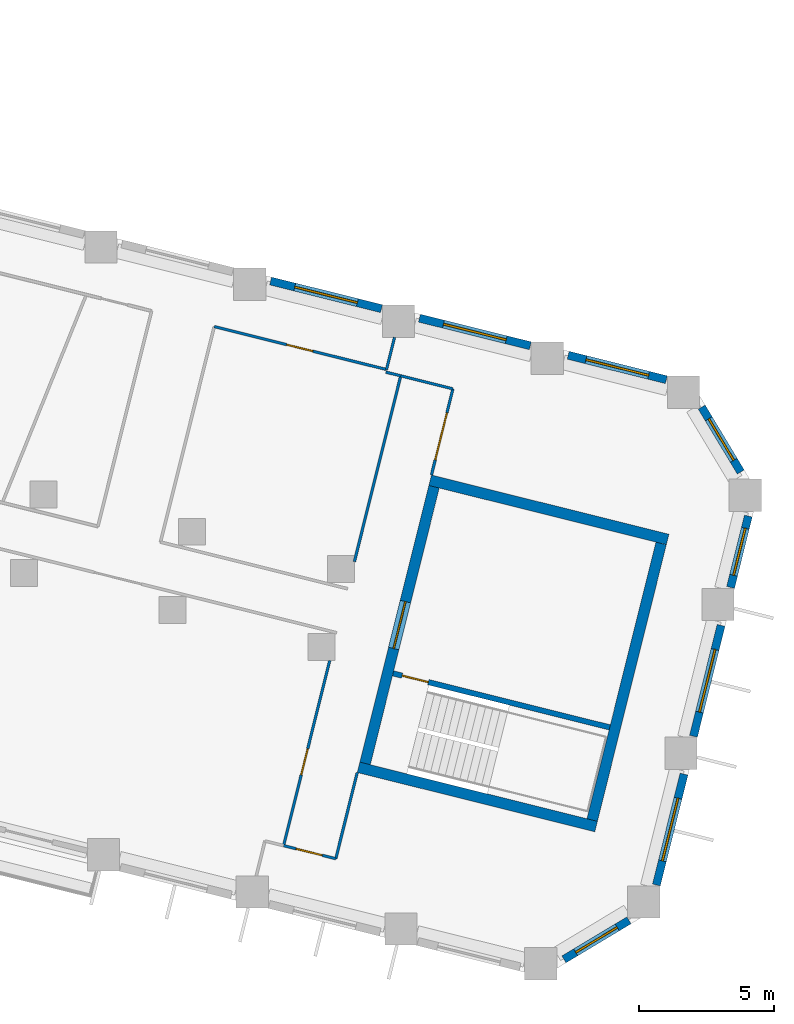
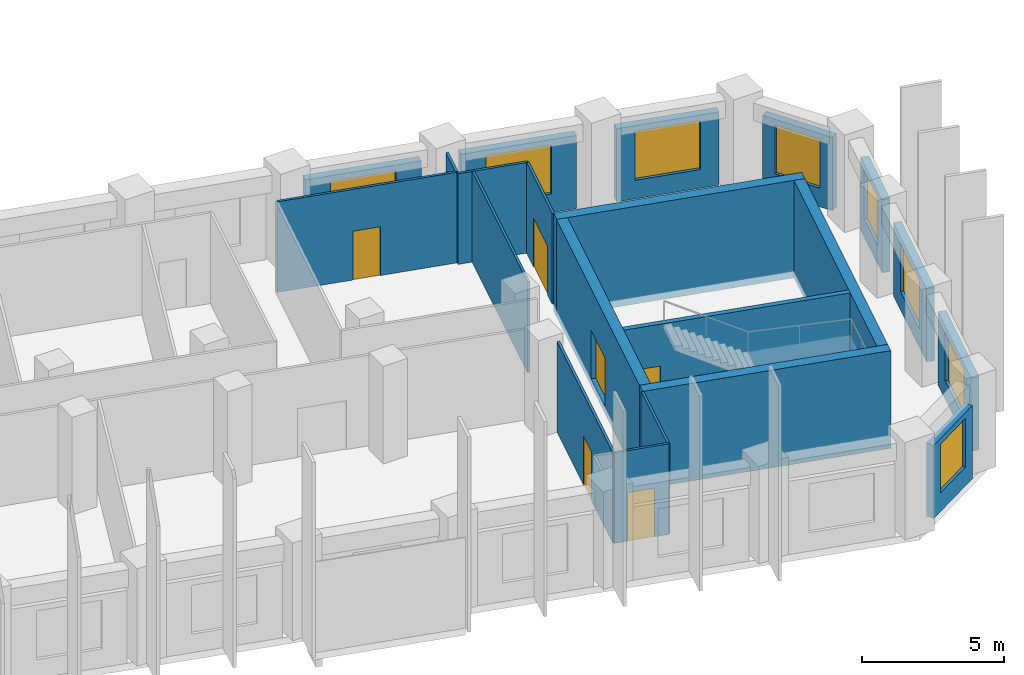
# One storey, part 7 of 10: 22 walls, 8 windows, 6 doors, 14 openings.
"""IFC4 building model written with IfcOpenShell, lengths in metres."""

from ifc_helpers import new_model, si_unit, direction, frame, frame_2d, origin, place, context, subcontext, project, spatial, rectangle, extrude, material, layer, layer_set, type_object, element, fill, save


model = new_model("IFC4")

# Units and contexts
model_context = context("Model", 3, precision=1e-05, world=origin(), true_north=direction((0.0, 1.0)))
body_context = subcontext(model_context, "Body", "Model", "MODEL_VIEW")
ifc_project = project(units=[si_unit("LENGTHUNIT", "METRE"), si_unit("AREAUNIT", "SQUARE_METRE"), si_unit("VOLUMEUNIT", "CUBIC_METRE"), si_unit("PLANEANGLEUNIT", "RADIAN"), si_unit("MASSUNIT", "GRAM", prefix="KILO")], contexts=[model_context])

# Site, building, storey
site_placement = place(None, origin())
site = spatial("IfcSite", under=ifc_project, at=site_placement, CompositionType="ELEMENT")
building_placement = place(site_placement, origin())
building = spatial("IfcBuilding", under=site, at=building_placement, Name="Meshkara Civic Tower", CompositionType="ELEMENT")
storey_placement = place(building_placement, frame((0.0, 0.0, 211.800048828125)))
storey = spatial("IfcBuildingStorey", under=building, at=storey_placement, Name="L48", CompositionType="ELEMENT", Elevation=211.800048828125)

# Wall, opening, door
ifc_material_1 = material(Name="Corridor wall 100")
ifc_layer_1 = layer(ifc_material_1, 0.10009765625)
ifc_layer_set_1 = layer_set([ifc_layer_1], Name="Corridor wall 100")
wall_type_1 = type_object("IfcWallType", Name="Corridor wall 100", PredefinedType="PARTITIONING", material=ifc_layer_set_1)
wall_1_placement = place(storey_placement, frame((59.68408203125, 6.24609375, 0.0), z_axis=(0.0, 0.0, 1.0), x_axis=(0.970303335351, -0.24189137522, 0.0)))
wall_1 = element("IfcWall", 1, at=wall_1_placement, inside=storey, type_object=wall_type_1, Name="L48-W035", PredefinedType="PARTITIONING", context=body_context, shape_type="SweptSolid", body=[
    extrude(rectangle(XDim=6.598876953125, YDim=0.10009765625, at=frame_2d((3.29931640625, 0.0))), origin(), (0.0, 0.0, 1.0), 3.89990234375),
])
opening_1_placement = place(wall_1_placement, frame((2.780029296875, 0.0, 0.0)))
opening_1 = element("IfcOpeningElement", 2, at=opening_1_placement, cuts=wall_1, Name="Opening L48-D007", PredefinedType="OPENING", context=body_context, shape_type="SweptSolid", body=[
    extrude(rectangle(XDim=1.0, YDim=2.10009765625, at=frame_2d((0.5, 1.050048828125))), frame((0.0, 0.06005859375, 0.0), z_axis=(0.0, -1.0, 0.0), x_axis=(1.0, 0.0, 0.0)), (0.0, 0.0, 1.0), 0.1201171875),
])
ifc_material_2 = material(Name="Door 1000 x 2100")
door_type_1 = type_object("IfcDoorType", Name="Door 1000 x 2100", OperationType="SINGLE_SWING_LEFT", PredefinedType="DOOR", material=ifc_material_2)
door_1_placement = place(opening_1_placement, origin())
door_1 = element("IfcDoor", 3, at=door_1_placement, inside=storey, type_object=door_type_1, Name="L48-D007", OperationType="SINGLE_SWING_RIGHT", OverallHeight=2.10009765625, OverallWidth=1.0, PredefinedType="DOOR", context=body_context, shape_type="SweptSolid", body=[
    extrude(rectangle(XDim=1.0, YDim=2.10009765625, at=frame_2d((0.5, 1.050048828125))), frame((0.0, 0.02490234375, 0.0), z_axis=(0.0, -1.0, 0.0), x_axis=(1.0, 0.0, 0.0)), (0.0, 0.0, 1.0), 0.050048828125),
])
fill(opening_1, door_1)

wall_2_placement = place(storey_placement, frame((62.261962890625, -13.050048828125, 0.0), z_axis=(0.0, 0.0, 1.0), x_axis=(0.970300241929, -0.241903783585, 0.0)))
wall_2 = element("IfcWall", 4, at=wall_2_placement, inside=storey, type_object=wall_type_1, Name="L48-W036", PredefinedType="PARTITIONING", context=body_context, shape_type="SweptSolid", body=[
    extrude(rectangle(XDim=2.000244140625, YDim=0.10009765625, at=frame_2d((1.0, 0.0))), origin(), (0.0, 0.0, 1.0), 3.89990234375),
])
opening_2_placement = place(wall_2_placement, frame((0.47998046875, 0.0, 0.0)))
opening_2 = element("IfcOpeningElement", 5, at=opening_2_placement, cuts=wall_2, Name="Opening L48-D001", PredefinedType="OPENING", context=body_context, shape_type="SweptSolid", body=[
    extrude(rectangle(XDim=1.0, YDim=2.10009765625, at=frame_2d((0.5, 1.050048828125))), frame((0.0, 0.06005859375, 0.0), z_axis=(0.0, -1.0, 0.0), x_axis=(1.0, 0.0, 0.0)), (0.0, 0.0, 1.0), 0.1201171875),
])
door_2_placement = place(opening_2_placement, origin())
door_2 = element("IfcDoor", 6, at=door_2_placement, inside=storey, type_object=door_type_1, Name="L48-D001", OperationType="SINGLE_SWING_RIGHT", OverallHeight=2.10009765625, OverallWidth=1.0, PredefinedType="DOOR", context=body_context, shape_type="SweptSolid", body=[
    extrude(rectangle(XDim=1.0, YDim=2.10009765625, at=frame_2d((0.5, 1.050048828125))), frame((0.0, 0.02490234375, 0.0), z_axis=(0.0, -1.0, 0.0), x_axis=(1.0, 0.0, 0.0)), (0.0, 0.0, 1.0), 0.050048828125),
])
fill(opening_2, door_2)

wall_3_placement = place(storey_placement, frame((63.97705078125, -6.1708984375, 0.0), z_axis=(0.0, 0.0, 1.0), x_axis=(-0.241911678739, -0.970298273568, 0.0)))
wall_3 = element("IfcWall", 7, at=wall_3_placement, inside=storey, type_object=wall_type_1, Name="L48-W037", PredefinedType="PARTITIONING", context=body_context, shape_type="SweptSolid", body=[
    extrude(rectangle(XDim=7.08984375, YDim=0.10009765625, at=frame_2d((3.544921875, 0.0))), origin(), (0.0, 0.0, 1.0), 3.89990234375),
])
opening_3_placement = place(wall_3_placement, frame((3.3798828125, 0.0, 0.0)))
opening_3 = element("IfcOpeningElement", 8, at=opening_3_placement, cuts=wall_3, Name="Opening L48-D002", PredefinedType="OPENING", context=body_context, shape_type="SweptSolid", body=[
    extrude(rectangle(XDim=1.0, YDim=2.10009765625, at=frame_2d((0.5, 1.050048828125))), frame((0.0, 0.06005859375, 0.0), z_axis=(0.0, -1.0, 0.0), x_axis=(1.0, 0.0, 0.0)), (0.0, 0.0, 1.0), 0.1201171875),
])
door_3_placement = place(opening_3_placement, origin())
door_3 = element("IfcDoor", 9, at=door_3_placement, inside=storey, type_object=door_type_1, Name="L48-D002", OperationType="SINGLE_SWING_LEFT", OverallHeight=2.10009765625, OverallWidth=1.0, PredefinedType="DOOR", context=body_context, shape_type="SweptSolid", body=[
    extrude(rectangle(XDim=1.0, YDim=2.10009765625, at=frame_2d((0.5, 1.050048828125))), frame((0.0, 0.02490234375, 0.0), z_axis=(0.0, -1.0, 0.0), x_axis=(1.0, 0.0, 0.0)), (0.0, 0.0, 1.0), 0.050048828125),
])
fill(opening_3, door_3)

# Walls
wall_4_placement = place(storey_placement, frame((64.202880859375, -13.533935546875, 0.0), z_axis=(0.0, 0.0, 1.0), x_axis=(0.241856645367, 0.970311992656, 0.0)))
element("IfcWall", 10, at=wall_4_placement, inside=storey, type_object=wall_type_1, Name="L48-W038", PredefinedType="PARTITIONING", context=body_context, shape_type="SweptSolid", body=[
    extrude(rectangle(XDim=3.2998046875, YDim=0.10009765625, at=frame_2d((1.64990234375, 0.0))), origin(), (0.0, 0.0, 1.0), 3.89990234375),
])
wall_5_placement = place(storey_placement, frame((66.0869140625, 4.64990234375, 0.0), z_axis=(0.0, 0.0, 1.0), x_axis=(0.24202255973, 0.970270622343, 0.0)))
element("IfcWall", 11, at=wall_5_placement, inside=storey, type_object=wall_type_1, Name="L48-W040", PredefinedType="PARTITIONING", context=body_context, shape_type="SweptSolid", body=[
    extrude(rectangle(XDim=1.231689453125, YDim=0.10009765625, at=frame_2d((0.61572265625, 0.0))), origin(), (0.0, 0.0, 1.0), 3.89990234375),
])
wall_6_placement = place(storey_placement, frame((66.616943359375, 4.4150390625, 0.0), z_axis=(0.0, 0.0, 1.0), x_axis=(-0.241898048516, -0.97030167171, 0.0)))
element("IfcWall", 12, at=wall_6_placement, inside=storey, type_object=wall_type_1, Name="L48-W041", PredefinedType="PARTITIONING", context=body_context, shape_type="SweptSolid", body=[
    extrude(rectangle(XDim=7.118408203125, YDim=0.10009765625, at=frame_2d((3.55908203125, 0.0))), origin(), (0.0, 0.0, 1.0), 3.89990234375),
])

# Wall, opening, door
wall_7_placement = place(storey_placement, frame((67.759033203125, 0.72900390625, 0.0), z_axis=(0.0, 0.0, 1.0), x_axis=(0.241786986316, 0.970329352977, 0.0)))
wall_7 = element("IfcWall", 13, at=wall_7_placement, inside=storey, type_object=wall_type_1, Name="L48-W042", PredefinedType="PARTITIONING", context=body_context, shape_type="SweptSolid", body=[
    extrude(rectangle(XDim=3.2998046875, YDim=0.10009765625, at=frame_2d((1.64990234375, 0.0))), origin(), (0.0, 0.0, 1.0), 3.89990234375),
])
opening_4_placement = place(wall_7_placement, frame((0.580078125, 0.0, 0.0)))
opening_4 = element("IfcOpeningElement", 14, at=opening_4_placement, cuts=wall_7, Name="Opening L48-D008", PredefinedType="OPENING", context=body_context, shape_type="SweptSolid", body=[
    extrude(rectangle(XDim=1.800048828125, YDim=2.10009765625, at=frame_2d((0.89990234375, 1.050048828125))), frame((0.0, 0.06005859375, 0.0), z_axis=(0.0, -1.0, 0.0), x_axis=(1.0, 0.0, 0.0)), (0.0, 0.0, 1.0), 0.1201171875),
])
ifc_material_3 = material(Name="Door pair 1800 x 2100")
door_type_2 = type_object("IfcDoorType", Name="Door pair 1800 x 2100", OperationType="SINGLE_SWING_LEFT", PredefinedType="DOOR", material=ifc_material_3)
door_4_placement = place(opening_4_placement, origin())
door_4 = element("IfcDoor", 15, at=door_4_placement, inside=storey, type_object=door_type_2, Name="L48-D008", OperationType="DOUBLE_DOOR_SINGLE_SWING", OverallHeight=2.10009765625, OverallWidth=1.800048828125, PredefinedType="DOOR", context=body_context, shape_type="SweptSolid", body=[
    extrude(rectangle(XDim=1.800048828125, YDim=2.10009765625, at=frame_2d((0.89990234375, 1.050048828125))), frame((0.0, 0.02490234375, 0.0), z_axis=(0.0, -1.0, 0.0), x_axis=(1.0, 0.0, 0.0)), (0.0, 0.0, 1.0), 0.050048828125),
])
fill(opening_4, door_4)

# Wall
wall_8_placement = place(storey_placement, frame((68.556884765625, 3.930908203125, 0.0), z_axis=(0.0, 0.0, 1.0), x_axis=(-0.970242973473, 0.242133377347, 0.0)))
element("IfcWall", 16, at=wall_8_placement, inside=storey, type_object=wall_type_1, Name="L48-W043", PredefinedType="PARTITIONING", context=body_context, shape_type="SweptSolid", body=[
    extrude(rectangle(XDim=1.99951171875, YDim=0.10009765625, at=frame_2d((0.999755859375, 0.0))), origin(), (0.0, 0.0, 1.0), 3.89990234375),
])

# Wall, opening, window
ifc_material_4 = material(Name="Insulated infill panel with bronze anodised aluminium cladding", Category="aluminium")
ifc_layer_2 = layer(ifc_material_4, 0.300048828125)
ifc_layer_set_2 = layer_set([ifc_layer_2], Name="EXTERNAL INFILL WALL 300")
wall_type_2 = type_object("IfcWallType", Name="EXTERNAL INFILL WALL 300", PredefinedType="SOLIDWALL", material=ifc_layer_set_2)
wall_9_placement = place(storey_placement, frame((76.491943359375, 4.27197265625, 0.0), z_axis=(0.0, 0.0, 1.0), x_axis=(-0.970348377394, 0.241710625521, 0.0)))
wall_9 = element("IfcWall", 17, at=wall_9_placement, inside=storey, type_object=wall_type_2, Name="External wall", PredefinedType="SOLIDWALL", context=body_context, shape_type="SweptSolid", body=[
    extrude(rectangle(XDim=3.760498046875, YDim=0.300048828125, at=frame_2d((1.88037109375, 0.0))), origin(), (0.0, 0.0, 1.0), 3.14990234375),
])
opening_5_placement = place(wall_9_placement, frame((0.679931640625, 0.0, 0.800048828125)))
opening_5 = element("IfcOpeningElement", 18, at=opening_5_placement, cuts=wall_9, Name="Opening W7", PredefinedType="OPENING", context=body_context, shape_type="SweptSolid", body=[
    extrude(rectangle(XDim=2.39990234375, YDim=2.10009765625, at=frame_2d((1.199951171875, 1.050048828125))), frame((0.0, 0.159912109375, 0.0), z_axis=(0.0, -1.0, 0.0), x_axis=(1.0, 0.0, 0.0)), (0.0, 0.0, 1.0), 0.320068359375),
])
ifc_material_5 = material(Name="Tinted double glazing", Category="glass")
window_type_1 = type_object("IfcWindowType", Name="WINDOW 2400x2100", PartitioningType="DOUBLE_PANEL_VERTICAL", PredefinedType="WINDOW", material=ifc_material_5)
window_1_placement = place(opening_5_placement, origin())
window_1 = element("IfcWindow", 19, at=window_1_placement, inside=storey, type_object=window_type_1, Name="Window", OverallHeight=2.10009765625, OverallWidth=2.39990234375, PartitioningType="DOUBLE_PANEL_VERTICAL", PredefinedType="WINDOW", context=body_context, shape_type="SweptSolid", body=[
    extrude(rectangle(XDim=2.39990234375, YDim=2.10009765625, at=frame_2d((1.199951171875, 1.050048828125))), frame((0.0, 0.030029296875, 0.0), z_axis=(0.0, -1.0, 0.0), x_axis=(1.0, 0.0, 0.0)), (0.0, 0.0, 1.0), 0.06005859375),
])
fill(opening_5, window_1)

wall_10_placement = place(storey_placement, frame((71.431884765625, 5.532958984375, 0.0), z_axis=(0.0, 0.0, 1.0), x_axis=(-0.970301260502, 0.241899697951, 0.0)))
wall_10 = element("IfcWall", 20, at=wall_10_placement, inside=storey, type_object=wall_type_2, Name="External wall", PredefinedType="SOLIDWALL", context=body_context, shape_type="SweptSolid", body=[
    extrude(rectangle(XDim=4.24609375, YDim=0.300048828125, at=frame_2d((2.123046875, 0.0))), origin(), (0.0, 0.0, 1.0), 3.14990234375),
])
opening_6_placement = place(wall_10_placement, frame((0.923095703125, 0.0, 0.800048828125)))
opening_6 = element("IfcOpeningElement", 21, at=opening_6_placement, cuts=wall_10, Name="Opening W7", PredefinedType="OPENING", context=body_context, shape_type="SweptSolid", body=[
    extrude(rectangle(XDim=2.39990234375, YDim=2.10009765625, at=frame_2d((1.199951171875, 1.050048828125))), frame((0.0, 0.159912109375, 0.0), z_axis=(0.0, -1.0, 0.0), x_axis=(1.0, 0.0, 0.0)), (0.0, 0.0, 1.0), 0.320068359375),
])
window_2_placement = place(opening_6_placement, origin())
window_2 = element("IfcWindow", 22, at=window_2_placement, inside=storey, type_object=window_type_1, Name="Window", OverallHeight=2.10009765625, OverallWidth=2.39990234375, PartitioningType="DOUBLE_PANEL_VERTICAL", PredefinedType="WINDOW", context=body_context, shape_type="SweptSolid", body=[
    extrude(rectangle(XDim=2.39990234375, YDim=2.10009765625, at=frame_2d((1.199951171875, 1.050048828125))), frame((0.0, 0.030029296875, 0.0), z_axis=(0.0, -1.0, 0.0), x_axis=(1.0, 0.0, 0.0)), (0.0, 0.0, 1.0), 0.06005859375),
])
fill(opening_6, window_2)

wall_11_placement = place(storey_placement, frame((65.90087890625, 6.912109375, 0.0), z_axis=(0.0, 0.0, 1.0), x_axis=(-0.970260760633, 0.242062091986, 0.0)))
wall_11 = element("IfcWall", 23, at=wall_11_placement, inside=storey, type_object=wall_type_2, Name="External wall", PredefinedType="SOLIDWALL", context=body_context, shape_type="SweptSolid", body=[
    extrude(rectangle(XDim=4.24609375, YDim=0.300048828125, at=frame_2d((2.123046875, 0.0))), origin(), (0.0, 0.0, 1.0), 3.14990234375),
])
opening_7_placement = place(wall_11_placement, frame((0.923095703125, 0.0, 0.800048828125)))
opening_7 = element("IfcOpeningElement", 24, at=opening_7_placement, cuts=wall_11, Name="Opening W7", PredefinedType="OPENING", context=body_context, shape_type="SweptSolid", body=[
    extrude(rectangle(XDim=2.39990234375, YDim=2.10009765625, at=frame_2d((1.199951171875, 1.050048828125))), frame((0.0, 0.159912109375, 0.0), z_axis=(0.0, -1.0, 0.0), x_axis=(1.0, 0.0, 0.0)), (0.0, 0.0, 1.0), 0.320068359375),
])
window_3_placement = place(opening_7_placement, origin())
window_3 = element("IfcWindow", 25, at=window_3_placement, inside=storey, type_object=window_type_1, Name="Window", OverallHeight=2.10009765625, OverallWidth=2.39990234375, PartitioningType="DOUBLE_PANEL_VERTICAL", PredefinedType="WINDOW", context=body_context, shape_type="SweptSolid", body=[
    extrude(rectangle(XDim=2.39990234375, YDim=2.10009765625, at=frame_2d((1.199951171875, 1.050048828125))), frame((0.0, 0.030029296875, 0.0), z_axis=(0.0, -1.0, 0.0), x_axis=(1.0, 0.0, 0.0)), (0.0, 0.0, 1.0), 0.06005859375),
])
fill(opening_7, window_3)

wall_12_placement = place(storey_placement, frame((72.68701171875, -17.277099609375, 0.0), z_axis=(0.0, 0.0, 1.0), x_axis=(0.857309341171, 0.514801606, 0.0)))
wall_12 = element("IfcWall", 26, at=wall_12_placement, inside=storey, type_object=wall_type_2, Name="External wall", PredefinedType="SOLIDWALL", context=body_context, shape_type="SweptSolid", body=[
    extrude(rectangle(XDim=2.81689453125, YDim=0.300048828125, at=frame_2d((1.408447265625, 0.0))), origin(), (0.0, 0.0, 1.0), 3.14990234375),
])
opening_8_placement = place(wall_12_placement, frame((0.508056640625, 0.0, 0.800048828125)))
opening_8 = element("IfcOpeningElement", 27, at=opening_8_placement, cuts=wall_12, Name="Opening W9", PredefinedType="OPENING", context=body_context, shape_type="SweptSolid", body=[
    extrude(rectangle(XDim=1.800048828125, YDim=2.10009765625, at=frame_2d((0.89990234375, 1.050048828125))), frame((0.0, 0.159912109375, 0.0), z_axis=(0.0, -1.0, 0.0), x_axis=(1.0, 0.0, 0.0)), (0.0, 0.0, 1.0), 0.320068359375),
])
ifc_material_6 = material(Name="Tinted double glazing", Category="glass")
window_type_2 = type_object("IfcWindowType", Name="WINDOW 1800x2100", PartitioningType="DOUBLE_PANEL_VERTICAL", PredefinedType="WINDOW", material=ifc_material_6)
window_4_placement = place(opening_8_placement, origin())
window_4 = element("IfcWindow", 28, at=window_4_placement, inside=storey, type_object=window_type_2, Name="Window", OverallHeight=2.10009765625, OverallWidth=1.800048828125, PartitioningType="DOUBLE_PANEL_VERTICAL", PredefinedType="WINDOW", context=body_context, shape_type="SweptSolid", body=[
    extrude(rectangle(XDim=1.800048828125, YDim=2.10009765625, at=frame_2d((0.89990234375, 1.050048828125))), frame((0.0, 0.030029296875, 0.0), z_axis=(0.0, -1.0, 0.0), x_axis=(1.0, 0.0, 0.0)), (0.0, 0.0, 1.0), 0.06005859375),
])
fill(opening_8, window_4)

wall_13_placement = place(storey_placement, frame((76.12109375, -14.511962890625, 0.0), z_axis=(0.0, 0.0, 1.0), x_axis=(0.241845562088, 0.970314755169, 0.0)))
wall_13 = element("IfcWall", 29, at=wall_13_placement, inside=storey, type_object=wall_type_2, Name="External wall", PredefinedType="SOLIDWALL", context=body_context, shape_type="SweptSolid", body=[
    extrude(rectangle(XDim=4.245849609375, YDim=0.300048828125, at=frame_2d((2.123046875, 0.0))), origin(), (0.0, 0.0, 1.0), 3.14990234375),
])
opening_9_placement = place(wall_13_placement, frame((0.923095703125, 0.0, 0.800048828125)))
opening_9 = element("IfcOpeningElement", 30, at=opening_9_placement, cuts=wall_13, Name="Opening W7", PredefinedType="OPENING", context=body_context, shape_type="SweptSolid", body=[
    extrude(rectangle(XDim=2.39990234375, YDim=2.10009765625, at=frame_2d((1.199951171875, 1.050048828125))), frame((0.0, 0.159912109375, 0.0), z_axis=(0.0, -1.0, 0.0), x_axis=(1.0, 0.0, 0.0)), (0.0, 0.0, 1.0), 0.320068359375),
])
window_5_placement = place(opening_9_placement, origin())
window_5 = element("IfcWindow", 31, at=window_5_placement, inside=storey, type_object=window_type_1, Name="Window", OverallHeight=2.10009765625, OverallWidth=2.39990234375, PartitioningType="DOUBLE_PANEL_VERTICAL", PredefinedType="WINDOW", context=body_context, shape_type="SweptSolid", body=[
    extrude(rectangle(XDim=2.39990234375, YDim=2.10009765625, at=frame_2d((1.199951171875, 1.050048828125))), frame((0.0, 0.030029296875, 0.0), z_axis=(0.0, -1.0, 0.0), x_axis=(1.0, 0.0, 0.0)), (0.0, 0.0, 1.0), 0.06005859375),
])
fill(opening_9, window_5)

wall_14_placement = place(storey_placement, frame((77.5, -8.98095703125, 0.0), z_axis=(0.0, 0.0, 1.0), x_axis=(0.241682938765, 0.970355273655, 0.0)))
wall_14 = element("IfcWall", 32, at=wall_14_placement, inside=storey, type_object=wall_type_2, Name="External wall", PredefinedType="SOLIDWALL", context=body_context, shape_type="SweptSolid", body=[
    extrude(rectangle(XDim=4.24462890625, YDim=0.300048828125, at=frame_2d((2.122314453125, 0.0))), origin(), (0.0, 0.0, 1.0), 3.14990234375),
])
opening_10_placement = place(wall_14_placement, frame((0.922119140625, 0.0, 0.800048828125)))
opening_10 = element("IfcOpeningElement", 33, at=opening_10_placement, cuts=wall_14, Name="Opening W7", PredefinedType="OPENING", context=body_context, shape_type="SweptSolid", body=[
    extrude(rectangle(XDim=2.39990234375, YDim=2.10009765625, at=frame_2d((1.199951171875, 1.050048828125))), frame((0.0, 0.159912109375, 0.0), z_axis=(0.0, -1.0, 0.0), x_axis=(1.0, 0.0, 0.0)), (0.0, 0.0, 1.0), 0.320068359375),
])
window_6_placement = place(opening_10_placement, origin())
window_6 = element("IfcWindow", 34, at=window_6_placement, inside=storey, type_object=window_type_1, Name="Window", OverallHeight=2.10009765625, OverallWidth=2.39990234375, PartitioningType="DOUBLE_PANEL_VERTICAL", PredefinedType="WINDOW", context=body_context, shape_type="SweptSolid", body=[
    extrude(rectangle(XDim=2.39990234375, YDim=2.10009765625, at=frame_2d((1.199951171875, 1.050048828125))), frame((0.0, 0.030029296875, 0.0), z_axis=(0.0, -1.0, 0.0), x_axis=(1.0, 0.0, 0.0)), (0.0, 0.0, 1.0), 0.06005859375),
])
fill(opening_10, window_6)

wall_15_placement = place(storey_placement, frame((78.8779296875, -3.450927734375, 0.0), z_axis=(0.0, 0.0, 1.0), x_axis=(0.24190501074, 0.970299935988, 0.0)))
wall_15 = element("IfcWall", 35, at=wall_15_placement, inside=storey, type_object=wall_type_2, Name="External wall", PredefinedType="SOLIDWALL", context=body_context, shape_type="SweptSolid", body=[
    extrude(rectangle(XDim=2.73291015625, YDim=0.300048828125, at=frame_2d((1.366455078125, 0.0))), origin(), (0.0, 0.0, 1.0), 3.14990234375),
])
opening_11_placement = place(wall_15_placement, frame((0.466064453125, 0.0, 0.800048828125)))
opening_11 = element("IfcOpeningElement", 36, at=opening_11_placement, cuts=wall_15, Name="Opening W9", PredefinedType="OPENING", context=body_context, shape_type="SweptSolid", body=[
    extrude(rectangle(XDim=1.800048828125, YDim=2.10009765625, at=frame_2d((0.89990234375, 1.050048828125))), frame((0.0, 0.159912109375, 0.0), z_axis=(0.0, -1.0, 0.0), x_axis=(1.0, 0.0, 0.0)), (0.0, 0.0, 1.0), 0.320068359375),
])
window_7_placement = place(opening_11_placement, origin())
window_7 = element("IfcWindow", 37, at=window_7_placement, inside=storey, type_object=window_type_2, Name="Window", OverallHeight=2.10009765625, OverallWidth=1.800048828125, PartitioningType="DOUBLE_PANEL_VERTICAL", PredefinedType="WINDOW", context=body_context, shape_type="SweptSolid", body=[
    extrude(rectangle(XDim=1.800048828125, YDim=2.10009765625, at=frame_2d((0.89990234375, 1.050048828125))), frame((0.0, 0.030029296875, 0.0), z_axis=(0.0, -1.0, 0.0), x_axis=(1.0, 0.0, 0.0)), (0.0, 0.0, 1.0), 0.06005859375),
])
fill(opening_11, window_7)

wall_16_placement = place(storey_placement, frame((79.257080078125, 0.839111328125, 0.0), z_axis=(0.0, 0.0, 1.0), x_axis=(-0.514992914014, 0.857194434487, 0.0)))
wall_16 = element("IfcWall", 38, at=wall_16_placement, inside=storey, type_object=wall_type_2, Name="External wall", PredefinedType="SOLIDWALL", context=body_context, shape_type="SweptSolid", body=[
    extrude(rectangle(XDim=2.81591796875, YDim=0.300048828125, at=frame_2d((1.407958984375, 0.0))), origin(), (0.0, 0.0, 1.0), 3.14990234375),
])
opening_12_placement = place(wall_16_placement, frame((0.508056640625, 0.0, 0.800048828125)))
opening_12 = element("IfcOpeningElement", 39, at=opening_12_placement, cuts=wall_16, Name="Opening W9", PredefinedType="OPENING", context=body_context, shape_type="SweptSolid", body=[
    extrude(rectangle(XDim=1.800048828125, YDim=2.10009765625, at=frame_2d((0.89990234375, 1.050048828125))), frame((0.0, 0.159912109375, 0.0), z_axis=(0.0, -1.0, 0.0), x_axis=(1.0, 0.0, 0.0)), (0.0, 0.0, 1.0), 0.320068359375),
])
window_8_placement = place(opening_12_placement, origin())
window_8 = element("IfcWindow", 40, at=window_8_placement, inside=storey, type_object=window_type_2, Name="Window", OverallHeight=2.10009765625, OverallWidth=1.800048828125, PartitioningType="DOUBLE_PANEL_VERTICAL", PredefinedType="WINDOW", context=body_context, shape_type="SweptSolid", body=[
    extrude(rectangle(XDim=1.800048828125, YDim=2.10009765625, at=frame_2d((0.89990234375, 1.050048828125))), frame((0.0, 0.030029296875, 0.0), z_axis=(0.0, -1.0, 0.0), x_axis=(1.0, 0.0, 0.0)), (0.0, 0.0, 1.0), 0.06005859375),
])
fill(opening_12, window_8)

# Walls
ifc_material_7 = material(Name="Concrete C70", Category="concrete")
ifc_layer_3 = layer(ifc_material_7, 0.39990234375)
ifc_layer_set_3 = layer_set([ifc_layer_3], Name="End core ring wall 400 C70")
wall_type_3 = type_object("IfcWallType", Name="End core ring wall 400 C70", PredefinedType="SHEAR", material=ifc_layer_set_3)
for number, where, z_axis, x_axis, name in (
    (41, (65.050048828125, -10.137939453125, -0.300048828125), (0.0, 0.0, 1.0), (0.970273354879, -0.242011604707, 0.0), "L48-C028"),
    (42, (67.7109375, 0.534912109375, -0.300048828125), (0.0, 0.0, 1.0), (0.970306418893, -0.241879005816, 0.0), "L48-C029"),
):
    element("IfcWall", number, at=place(storey_placement, frame(where, z_axis=z_axis, x_axis=x_axis)), inside=storey, type_object=wall_type_3, Name=name, PredefinedType="SHEAR", context=body_context, shape_type="SweptSolid", body=[
        extrude(rectangle(XDim=9.099365234375, YDim=0.39990234375, at=frame_2d((4.5498046875, 0.0))), origin(), (0.0, 0.0, 1.0), 4.199951171875),
    ])

# Wall, opening, door
wall_17_placement = place(storey_placement, frame((65.2919921875, -9.991943359375, -0.300048828125), z_axis=(0.0, 0.0, 1.0), x_axis=(0.241890652548, 0.970303515509, 0.0)))
wall_17 = element("IfcWall", 43, at=wall_17_placement, inside=storey, type_object=wall_type_3, Name="L48-C030", PredefinedType="SHEAR", context=body_context, shape_type="SweptSolid", body=[
    extrude(rectangle(XDim=10.599609375, YDim=0.39990234375, at=frame_2d((5.2998046875, 0.0))), origin(), (0.0, 0.0, 1.0), 4.199951171875),
])
opening_13_placement = place(wall_17_placement, frame((4.39990234375, 0.0, 0.300048828125)))
opening_13 = element("IfcOpeningElement", 44, at=opening_13_placement, cuts=wall_17, Name="Opening L48-K202", PredefinedType="OPENING", context=body_context, shape_type="SweptSolid", body=[
    extrude(rectangle(XDim=1.800048828125, YDim=2.10009765625, at=frame_2d((0.89990234375, 1.050048828125))), frame((0.0, 0.2099609375, 0.0), z_axis=(0.0, -1.0, 0.0), x_axis=(1.0, 0.0, 0.0)), (0.0, 0.0, 1.0), 0.419921875),
])
ifc_material_8 = material(Name="Fire-rated door leaf in steel frame", Category="steel")
door_type_3 = type_object("IfcDoorType", Name="Core double door 1800 EI 60", OperationType="DOUBLE_DOOR_SINGLE_SWING", PredefinedType="DOOR", material=ifc_material_8)
door_5_placement = place(opening_13_placement, origin())
door_5 = element("IfcDoor", 45, at=door_5_placement, inside=storey, type_object=door_type_3, Name="L48-K202", OperationType="DOUBLE_DOOR_SINGLE_SWING", OverallHeight=2.10009765625, OverallWidth=1.800048828125, PredefinedType="DOOR", context=body_context, shape_type="SweptSolid", body=[
    extrude(rectangle(XDim=1.800048828125, YDim=2.10009765625, at=frame_2d((0.89990234375, 1.050048828125))), frame((0.0, 0.02490234375, 0.0), z_axis=(0.0, -1.0, 0.0), x_axis=(1.0, 0.0, 0.0)), (0.0, 0.0, 1.0), 0.050048828125),
])
fill(opening_13, door_5)

# Walls
wall_18_placement = place(storey_placement, frame((73.73388671875, -12.096923828125, -0.300048828125), z_axis=(0.0, 0.0, 1.0), x_axis=(0.241912337509, 0.970298109326, 0.0)))
element("IfcWall", 46, at=wall_18_placement, inside=storey, type_object=wall_type_3, Name="L48-C031", PredefinedType="SHEAR", context=body_context, shape_type="SweptSolid", body=[
    extrude(rectangle(XDim=10.599853515625, YDim=0.39990234375, at=frame_2d((5.2998046875, 0.0))), origin(), (0.0, 0.0, 1.0), 4.199951171875),
])
ifc_material_9 = material(Name="Partition 100")
ifc_layer_4 = layer(ifc_material_9, 0.10009765625)
ifc_layer_set_4 = layer_set([ifc_layer_4], Name="Partition 100")
wall_type_4 = type_object("IfcWallType", Name="Partition 100", PredefinedType="PARTITIONING", material=ifc_layer_set_4)
wall_19_placement = place(storey_placement, frame((66.62109375, 4.4140625, 0.0), z_axis=(0.0, 0.0, 1.0), x_axis=(-0.970391687927, 0.241536688727, 0.0)))
element("IfcWall", 47, at=wall_19_placement, inside=storey, type_object=wall_type_4, Name="L48-W062", PredefinedType="PARTITIONING", context=body_context, shape_type="SweptSolid", body=[
    extrude(rectangle(XDim=0.5751953125, YDim=0.10009765625, at=frame_2d((0.28759765625, 0.0))), origin(), (0.0, 0.0, 1.0), 3.89990234375),
])

# Wall, opening, door
ifc_material_10 = material(Name="Concrete C40/50", Category="concrete")
ifc_layer_5 = layer(ifc_material_10, 0.199951171875)
ifc_layer_set_5 = layer_set([ifc_layer_5], Name="Stair enclosure wall 200 C40/50")
wall_type_5 = type_object("IfcWallType", Name="Stair enclosure wall 200 C40/50", PredefinedType="SOLIDWALL", material=ifc_layer_set_5)
wall_20_placement = place(storey_placement, frame((66.3330078125, -6.64501953125, 0.0), z_axis=(0.0, 0.0, 1.0), x_axis=(0.970289402158, -0.241947258837, 0.0)))
wall_20 = element("IfcWall", 48, at=wall_20_placement, inside=storey, type_object=wall_type_5, Name="L48-C032", PredefinedType="SOLIDWALL", context=body_context, shape_type="SweptSolid", body=[
    extrude(rectangle(XDim=8.299560546875, YDim=0.199951171875, at=frame_2d((4.14990234375, 0.0))), origin(), (0.0, 0.0, 1.0), 3.89990234375),
])
opening_14_placement = place(wall_20_placement, frame((0.35009765625, 0.0, 0.0)))
opening_14 = element("IfcOpeningElement", 49, at=opening_14_placement, cuts=wall_20, Name="Opening L48-K201", PredefinedType="OPENING", context=body_context, shape_type="SweptSolid", body=[
    extrude(rectangle(XDim=1.0, YDim=2.10009765625, at=frame_2d((0.5, 1.050048828125))), frame((0.0, 0.10986328125, 0.0), z_axis=(0.0, -1.0, 0.0), x_axis=(1.0, 0.0, 0.0)), (0.0, 0.0, 1.0), 0.219970703125),
])
ifc_material_11 = material(Name="Fire-rated door leaf in steel frame", Category="steel")
door_type_4 = type_object("IfcDoorType", Name="Stair door 1000 EI 120", OperationType="SINGLE_SWING_LEFT", PredefinedType="DOOR", material=ifc_material_11)
door_6_placement = place(opening_14_placement, origin())
door_6 = element("IfcDoor", 50, at=door_6_placement, inside=storey, type_object=door_type_4, Name="L48-K201", OperationType="SINGLE_SWING_LEFT", OverallHeight=2.10009765625, OverallWidth=1.0, PredefinedType="DOOR", context=body_context, shape_type="SweptSolid", body=[
    extrude(rectangle(XDim=1.0, YDim=2.10009765625, at=frame_2d((0.5, 1.050048828125))), frame((0.0, 0.02490234375, 0.0), z_axis=(0.0, -1.0, 0.0), x_axis=(1.0, 0.0, 0.0)), (0.0, 0.0, 1.0), 0.050048828125),
])
fill(opening_14, door_6)

save(model, "model.ifc")
